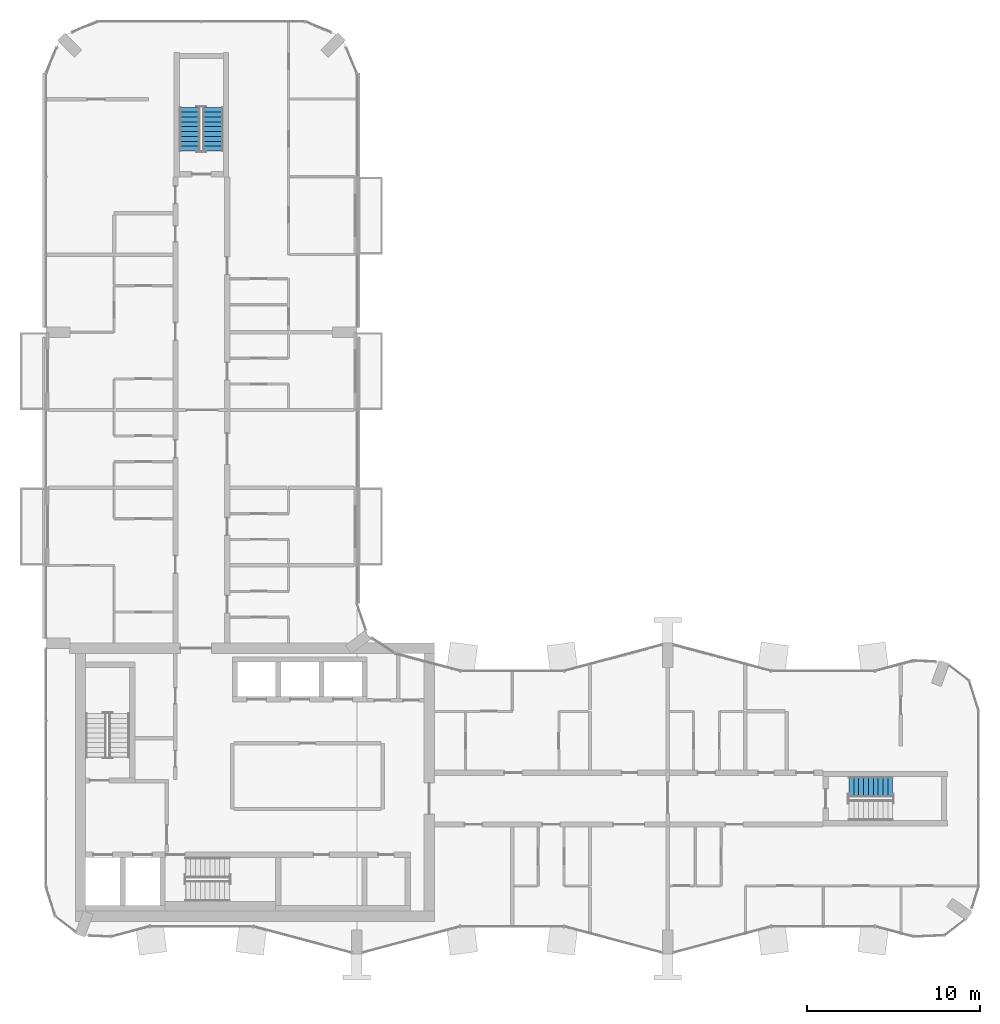
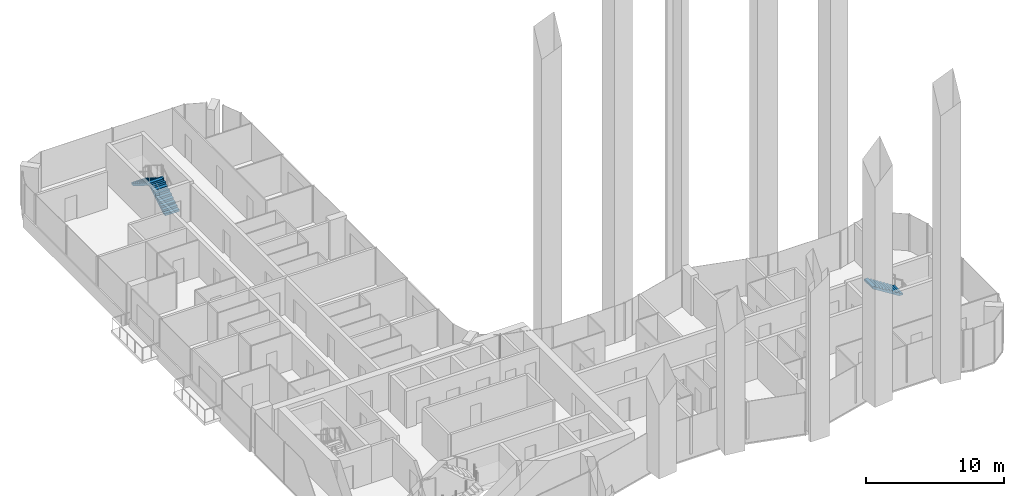
# One storey, part 14 of 18: 3 stair flights, 2 elements without a shape of their own.
"""IFC4 building model written with IfcOpenShell, lengths in metres."""

import ifcopenshell
import ifcopenshell.guid

model = None  # the IFC model being written
_history = None  # IfcOwnerHistory: only IFC2X3 demands one
_inside = {}  # id of a spatial element -> (the spatial element, [elements in it])
_under = {}  # id of a project, library or spatial element -> (it, [spatial elements below it])
_declared = {}  # id of a project -> (the project, [libraries it declares])
_typed = {}  # id of a type object -> (the type object, [elements of that type])
_made_of = {}  # id of a material, layer set ... -> (it, [elements and type objects made of it])


def new_model(schema):
    """Start an empty IFC model of exactly this schema.

    Asked for "IFC4X3", IfcOpenShell would pick the latest addendum, in which some entities
    have other attributes; the version numbers below select the first issue.
    IFC2X3 requires an IfcOwnerHistory on every rooted entity: one is made here for all.
    """
    global model, _history
    if schema == "IFC4X3":
        model = ifcopenshell.file(schema_version=(4, 3, 0, 0))
    else:
        model = ifcopenshell.file(schema=schema)
    _inside.clear()
    _under.clear()
    _declared.clear()
    _typed.clear()
    _made_of.clear()
    _history = None
    if model.schema == "IFC2X3":
        org = make("IfcOrganization", Name="unknown")
        user = make(
            "IfcPersonAndOrganization",
            ThePerson=make("IfcPerson", FamilyName="unknown"),
            TheOrganization=org,
        )
        app = make(
            "IfcApplication",
            ApplicationDeveloper=org,
            Version="unknown",
            ApplicationFullName="unknown",
            ApplicationIdentifier="unknown",
        )
        _history = make(
            "IfcOwnerHistory",
            OwningUser=user,
            OwningApplication=app,
            ChangeAction="ADDED",
            CreationDate=0,
        )
    return model


def make(cls, **values):
    """One entity of the class cls with the attributes given. An attribute that is None is left unset."""
    return model.create_entity(
        cls, **{name: value for name, value in values.items() if value is not None}
    )


def rooted(cls, **values):
    """An entity with a GlobalId (a new one), such as an element, a storey or a relation."""
    return make(cls, GlobalId=ifcopenshell.guid.new(), OwnerHistory=_history, **values)


def si_unit(unit_type, name, prefix=None):
    """IfcSIUnit, for example si_unit("LENGTHUNIT", "METRE", prefix="MILLI")."""
    return make("IfcSIUnit", UnitType=unit_type, Prefix=prefix, Name=name)


def assignment(units):
    """IfcUnitAssignment: the units of a project."""
    return None if units is None else make("IfcUnitAssignment", Units=units)


def point(xyz):
    """IfcCartesianPoint."""
    return None if xyz is None else make("IfcCartesianPoint", Coordinates=xyz)


def direction(xyz):
    """IfcDirection."""
    return None if xyz is None else make("IfcDirection", DirectionRatios=xyz)


def frame(location, z_axis=None, x_axis=None):
    """IfcAxis2Placement3D, a coordinate frame: its origin and axes. An axis left out is left unset."""
    return make(
        "IfcAxis2Placement3D",
        Location=point(location),
        Axis=direction(z_axis),
        RefDirection=direction(x_axis),
    )


def origin():
    """The frame at (0, 0, 0) with its axes left unset."""
    return frame((0.0, 0.0, 0.0))


def place(relative_to, where):
    """IfcLocalPlacement: puts the frame where relative to a parent placement (None: the world)."""
    return make(
        "IfcLocalPlacement", PlacementRelTo=relative_to, RelativePlacement=where
    )


def context(
    kind, dimensions, precision=None, world=None, true_north=None, identifier=None
):
    """IfcGeometricRepresentationContext, for example the 3D "Model" context."""
    return make(
        "IfcGeometricRepresentationContext",
        ContextIdentifier=identifier,
        ContextType=kind,
        CoordinateSpaceDimension=dimensions,
        Precision=precision,
        WorldCoordinateSystem=world,
        TrueNorth=true_north,
    )


def subcontext(parent, identifier, kind, view, scale=None):
    """IfcGeometricRepresentationSubContext, for example "Body" below "Model"."""
    return make(
        "IfcGeometricRepresentationSubContext",
        ContextIdentifier=identifier,
        ContextType=kind,
        ParentContext=parent,
        TargetScale=scale,
        TargetView=view,
    )


def project(units=None, contexts=None):
    """IfcProject with its units and contexts."""
    return rooted(
        "IfcProject",
        Name="project",
        RepresentationContexts=contexts,
        UnitsInContext=assignment(units),
    )


def spatial(cls, under=None, at=None, **own):
    """A site, building, storey or space (cls), placed at a placement, below another one or the project."""
    s = rooted(cls, ObjectPlacement=at, **own)
    if under is not None:
        _under.setdefault(under.id(), (under, []))[1].append(s)
    return s


def polyline(points):
    """IfcPolyline through the points."""
    return make("IfcPolyline", Points=[point(p) for p in points])


def outline(outer, holes=None, kind="AREA"):
    """IfcArbitraryClosedProfileDef: a profile drawn as a closed curve; with holes, ...WithVoids."""
    if holes is None:
        return make("IfcArbitraryClosedProfileDef", ProfileType=kind, OuterCurve=outer)
    return make(
        "IfcArbitraryProfileDefWithVoids",
        ProfileType=kind,
        OuterCurve=outer,
        InnerCurves=holes,
    )


def extrude(swept, where, along, depth):
    """IfcExtrudedAreaSolid: the profile swept, set in the frame where, extruded along a direction by depth."""
    return make(
        "IfcExtrudedAreaSolid",
        SweptArea=swept,
        Position=where,
        ExtrudedDirection=direction(along),
        Depth=depth,
    )


def shape(context_of_items, identifier, shape_type, items):
    """IfcShapeRepresentation: the items that make up one representation, for example the "Body"."""
    return make(
        "IfcShapeRepresentation",
        ContextOfItems=context_of_items,
        RepresentationIdentifier=identifier,
        RepresentationType=shape_type,
        Items=items,
    )


def material(Name=None, Category=None):
    """IfcMaterial."""
    return make("IfcMaterial", Name=Name, Category=Category)


def made_of(thing, what):
    """Note that an element or type object is made of a material, layer set ...; save() writes the relation."""
    if what is not None:
        _made_of.setdefault(what.id(), (what, []))[1].append(thing)
    return thing


def type_object(cls, material=None, **own):
    """A type object (cls), such as IfcWallType, which elements share."""
    return made_of(rooted(cls, **own), material)


def element(
    cls,
    number,
    at=None,
    inside=None,
    cuts=None,
    type_object=None,
    material=None,
    context=None,
    identifier="Body",
    shape_type=None,
    held_by="IfcProductDefinitionShape",
    body=None,
    shapes=None,
    **own,
):
    """One element of the class cls, such as IfcWall. Its Tag is "e" and its number.

    at: its placement. inside: the storey or other place that contains it. cuts: it is an
    opening in that element (IfcRelVoidsElement). A single representation is given by context,
    identifier, shape_type and body (its items); several are given by shapes. held_by: the class
    of the entity that holds the representations. save() writes the other relations.
    """
    e = rooted(cls, Tag="e%d" % number, ObjectPlacement=at, **own)
    if body is not None:
        shapes = [shape(context, identifier, shape_type, body)]
    if shapes is not None:
        e.Representation = make(held_by, Representations=shapes)
    if inside is not None:
        _inside.setdefault(inside.id(), (inside, []))[1].append(e)
    if cuts is not None:
        rooted(
            "IfcRelVoidsElement", RelatingBuildingElement=cuts, RelatedOpeningElement=e
        )
    if type_object is not None:
        _typed.setdefault(type_object.id(), (type_object, []))[1].append(e)
    return made_of(e, material)


def aggregate(whole, parts):
    """IfcRelAggregates: a whole, such as a stair, and the parts it consists of."""
    return rooted("IfcRelAggregates", RelatingObject=whole, RelatedObjects=parts)


def save(model, path):
    """Write the relations noted so far, then the file.

    IfcRelAggregates (storeys below a building ...), IfcRelContainedInSpatialStructure (elements
    in a storey), IfcRelDefinesByType, IfcRelAssociatesMaterial and IfcRelDeclares: one each for
    every whole, place, type object, material and project.
    """
    for whole, parts in _under.values():
        aggregate(whole, parts)
    for where, things in _inside.values():
        rooted(
            "IfcRelContainedInSpatialStructure",
            RelatedElements=things,
            RelatingStructure=where,
        )
    for kind, things in _typed.values():
        rooted("IfcRelDefinesByType", RelatedObjects=things, RelatingType=kind)
    for what, things in _made_of.values():
        rooted("IfcRelAssociatesMaterial", RelatedObjects=things, RelatingMaterial=what)
    for by, libraries in _declared.values():
        rooted("IfcRelDeclares", RelatingContext=by, RelatedDefinitions=libraries)
    model.write(path)


model = new_model("IFC4")

# Units and contexts
model_context = context("Model", 3, precision=1e-05, world=origin(), true_north=direction((0.0, 1.0)))
body_context = subcontext(model_context, "Body", "Model", "MODEL_VIEW")
ifc_project = project(units=[si_unit("LENGTHUNIT", "METRE"), si_unit("AREAUNIT", "SQUARE_METRE"), si_unit("VOLUMEUNIT", "CUBIC_METRE"), si_unit("PLANEANGLEUNIT", "RADIAN"), si_unit("MASSUNIT", "GRAM", prefix="KILO")], contexts=[model_context])

# Site, building, storey
site_placement = place(None, origin())
site = spatial("IfcSite", under=ifc_project, at=site_placement, CompositionType="ELEMENT")
building_placement = place(site_placement, origin())
building = spatial("IfcBuilding", under=site, at=building_placement, Name="Plateau Cross Towers", CompositionType="ELEMENT")
storey_placement = place(building_placement, frame((0.0, 0.0, 139.39990234375)))
storey = spatial("IfcBuildingStorey", under=building, at=storey_placement, Name="L35", CompositionType="ELEMENT", Elevation=139.39990234375)

# Stair, stair flight
ifc_material = material(Name="Concrete C40/50", Category="concrete")
stair_type = type_object("IfcStairType", Name="ST-TWR", PredefinedType="HALF_TURN_STAIR", material=ifc_material)
stair_1_placement = place(storey_placement, origin())
stair_1 = element("IfcStair", 1, at=stair_1_placement, inside=storey, type_object=stair_type, Name="L35 Protected Exit Stair E", PredefinedType="HALF_TURN_STAIR")
stair_flight_type = type_object("IfcStairFlightType", Name="SFL-RC", PredefinedType="STRAIGHT", material=ifc_material)
stair_flight_1_placement = place(storey_placement, frame((49.02001953125, 9.675048828125, 1.75), z_axis=(0.0, 0.0, 1.0), x_axis=(-1.0, 0.0, 0.0)))
stair_flight_1 = element("IfcStairFlight", 2, at=stair_flight_1_placement, type_object=stair_flight_type, Name="ES-E flight 2", NumberOfRisers=10, NumberOfTreads=9, PredefinedType="STRAIGHT", RiserHeight=0.175, TreadLength=0.28, context=body_context, shape_type="SweptSolid", body=[
    extrude(outline(polyline([(-0.0048828125, -0.010009765625), (-0.0048828125, 0.0), (0.0, 0.0), (0.0, 0.175048828125), (0.280029296875, 0.175048828125), (0.280029296875, 0.35009765625), (0.56005859375, 0.35009765625), (0.56005859375, 0.52490234375), (0.840087890625, 0.52490234375), (0.840087890625, 0.699951171875), (1.1201171875, 0.699951171875), (1.1201171875, 0.875), (1.39990234375, 0.875), (1.39990234375, 1.050048828125), (1.679931640625, 1.050048828125), (1.679931640625, 1.22509765625), (1.9599609375, 1.22509765625), (1.9599609375, 1.39990234375), (2.239990234375, 1.39990234375), (2.239990234375, 1.574951171875), (2.52001953125, 1.574951171875), (2.52490234375, 1.56494140625), (2.52490234375, 1.398193359375), (2.52001953125, 1.398193359375), (0.28271484375, 0.0), (0.02001953125, 0.0), (0.02001953125, -0.010009765625), (-0.0048828125, -0.010009765625)])), frame((0.0, 0.60009765625, 0.0), z_axis=(0.0, -1.0, 0.0), x_axis=(1.0, 0.0, 0.0)), (0.0, 0.0, 1.0), 1.199951171875),
])
aggregate(stair_1, [stair_flight_1])

# Stair, stair flights
stair_2_placement = place(storey_placement, origin())
stair_2 = element("IfcStair", 3, at=stair_2_placement, inside=storey, type_object=stair_type, Name="L35 Protected Exit Stair N", PredefinedType="HALF_TURN_STAIR")
stair_flight_2_placement = place(storey_placement, frame((9.675048828125, 46.5, 0.0), z_axis=(0.0, 0.0, 1.0), x_axis=(0.0, 1.0, 0.0)))
stair_flight_2 = element("IfcStairFlight", 4, at=stair_flight_2_placement, type_object=stair_flight_type, Name="ES-N flight 1", NumberOfRisers=10, NumberOfTreads=9, PredefinedType="STRAIGHT", RiserHeight=0.175, TreadLength=0.28, context=body_context, shape_type="SweptSolid", body=[
    extrude(outline(polyline([(-0.0048828125, -0.010009765625), (-0.0048828125, 0.0), (0.0, 0.0), (0.0, 0.175048828125), (0.280029296875, 0.175048828125), (0.280029296875, 0.35009765625), (0.56005859375, 0.35009765625), (0.56005859375, 0.52490234375), (0.840087890625, 0.52490234375), (0.840087890625, 0.699951171875), (1.1201171875, 0.699951171875), (1.1201171875, 0.875), (1.39990234375, 0.875), (1.39990234375, 1.050048828125), (1.679931640625, 1.050048828125), (1.679931640625, 1.22509765625), (1.9599609375, 1.22509765625), (1.9599609375, 1.39990234375), (2.239990234375, 1.39990234375), (2.239990234375, 1.574951171875), (2.52001953125, 1.574951171875), (2.52490234375, 1.56494140625), (2.52490234375, 1.398193359375), (2.52001953125, 1.398193359375), (0.28271484375, 0.0), (0.02001953125, 0.0), (0.02001953125, -0.010009765625), (-0.0048828125, -0.010009765625)])), frame((0.0, 0.60009765625, 0.0), z_axis=(0.0, -1.0, 0.0), x_axis=(1.0, 0.0, 0.0)), (0.0, 0.0, 1.0), 1.199951171875),
])
stair_flight_3_placement = place(storey_placement, frame((8.324951171875, 49.02001953125, 1.75), z_axis=(0.0, 0.0, 1.0), x_axis=(0.0, -1.0, 0.0)))
stair_flight_3 = element("IfcStairFlight", 5, at=stair_flight_3_placement, type_object=stair_flight_type, Name="ES-N flight 2", NumberOfRisers=10, NumberOfTreads=9, PredefinedType="STRAIGHT", RiserHeight=0.175, TreadLength=0.28, context=body_context, shape_type="SweptSolid", body=[
    extrude(outline(polyline([(-0.0048828125, -0.010009765625), (-0.0048828125, 0.0), (0.0, 0.0), (0.0, 0.175048828125), (0.280029296875, 0.175048828125), (0.280029296875, 0.35009765625), (0.56005859375, 0.35009765625), (0.56005859375, 0.52490234375), (0.840087890625, 0.52490234375), (0.840087890625, 0.699951171875), (1.1201171875, 0.699951171875), (1.1201171875, 0.875), (1.39990234375, 0.875), (1.39990234375, 1.050048828125), (1.679931640625, 1.050048828125), (1.679931640625, 1.22509765625), (1.9599609375, 1.22509765625), (1.9599609375, 1.39990234375), (2.239990234375, 1.39990234375), (2.239990234375, 1.574951171875), (2.52001953125, 1.574951171875), (2.52490234375, 1.56494140625), (2.52490234375, 1.398193359375), (2.52001953125, 1.398193359375), (0.28271484375, 0.0), (0.02001953125, 0.0), (0.02001953125, -0.010009765625), (-0.0048828125, -0.010009765625)])), frame((0.0, 0.60009765625, 0.0), z_axis=(0.0, -1.0, 0.0), x_axis=(1.0, 0.0, 0.0)), (0.0, 0.0, 1.0), 1.199951171875),
])
aggregate(stair_2, [stair_flight_2, stair_flight_3])

save(model, "model.ifc")
